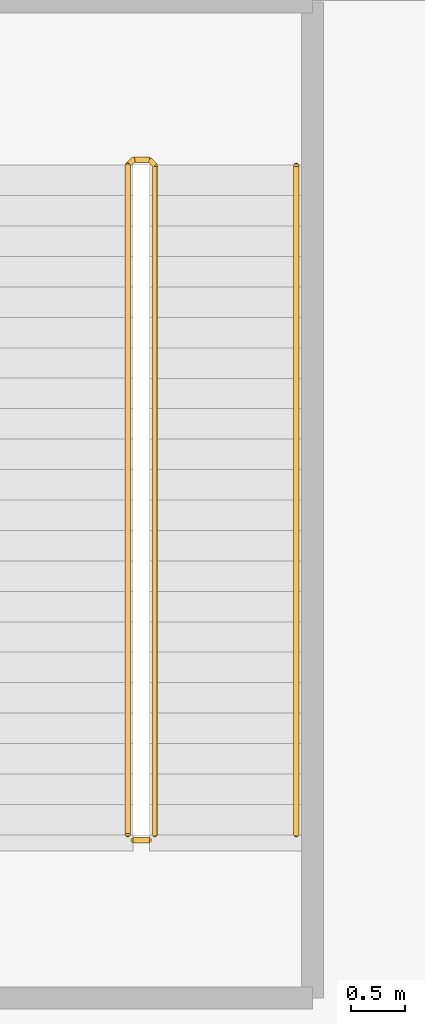
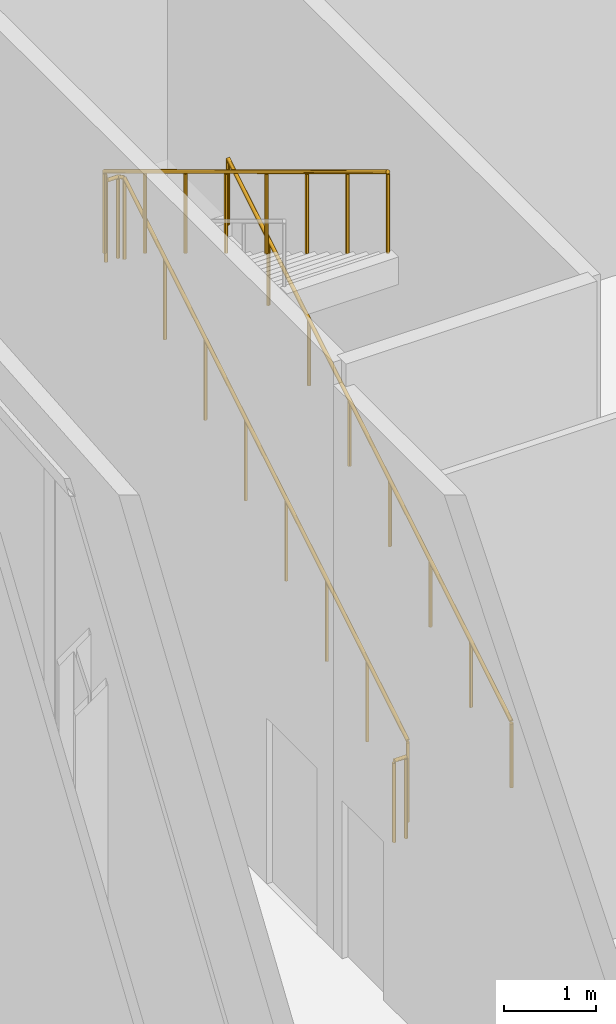
# One storey, part 37 of 38: 3 railings.
"""IFC4 building model written with IfcOpenShell, lengths in metres."""

from ifc_helpers import new_model, si_unit, direction, frame, origin, origin_2d, place, context, subcontext, project, spatial, circle, extrude, material, type_object, element, save


model = new_model("IFC4")

# Units and contexts
model_context = context("Model", 3, precision=1e-05, world=origin(), true_north=direction((0.0, 1.0)))
body_context = subcontext(model_context, "Body", "Model", "MODEL_VIEW")
ifc_project = project(units=[si_unit("LENGTHUNIT", "METRE"), si_unit("AREAUNIT", "SQUARE_METRE"), si_unit("VOLUMEUNIT", "CUBIC_METRE"), si_unit("PLANEANGLEUNIT", "RADIAN"), si_unit("MASSUNIT", "GRAM", prefix="KILO")], contexts=[model_context])

# Site, building, storey
site_placement = place(None, origin())
site = spatial("IfcSite", under=ifc_project, at=site_placement, CompositionType="ELEMENT")
building_placement = place(site_placement, origin())
building = spatial("IfcBuilding", under=site, at=building_placement, Name="Kheshtan School and Residences Tower", CompositionType="ELEMENT")
storey_placement = place(building_placement, frame((0.0, 0.0, 203.300048828125)))
storey = spatial("IfcBuildingStorey", under=building, at=storey_placement, Name="L48", CompositionType="ELEMENT", Elevation=203.300048828125)

# Railings
ifc_material_1 = material(Name="Stainless steel balustrade", Category="steel")
railing_type_1 = type_object("IfcRailingType", Name="Stair guard 1100", PredefinedType="GUARDRAIL", material=ifc_material_1)
railing_1_placement = place(storey_placement, frame((35.0, 80.89990234375, 0.16943359375)))
element("IfcRailing", 1, at=railing_1_placement, inside=storey, type_object=railing_type_1, Name="L48 ST3 stair guard 1", PredefinedType="GUARDRAIL", context=body_context, shape_type="SweptSolid", body=[
    extrude(circle(Radius=0.02392578125, at=origin_2d()), frame((0.0, 0.0, 1.076171875), z_axis=(0.0, 0.855379917629, 0.518001154937), x_axis=(-1.0, 0.0, 0.0)), (0.0, 0.0, 1.0), 7.20166015625),
    extrude(circle(Radius=0.02392578125, at=origin_2d()), frame((0.0, 6.16015625, 4.806640625), z_axis=(-0.707106781187, 0.707106781187, 0.0), x_axis=(-0.707106781187, -0.707106781187, 0.0)), (0.0, 0.0, 1.0), 0.07080078125),
    extrude(circle(Radius=0.02392578125, at=origin_2d()), frame((-0.050048828125, 6.210205078125, 4.806640625), z_axis=(-1.0, 0.0, 0.0), x_axis=(0.0, -1.0, 0.0)), (0.0, 0.0, 1.0), 0.14990234375),
    extrude(circle(Radius=0.02392578125, at=origin_2d()), frame((-0.199951171875, 6.210205078125, 4.806640625), z_axis=(-0.272228512635, -0.272228512635, 0.92292105503), x_axis=(0.707106781187, -0.707106781187, 0.0)), (0.0, 0.0, 1.0), 0.183837890625),
    extrude(circle(Radius=0.02392578125, at=origin_2d()), frame((-0.25, 6.16015625, 4.97607421875), z_axis=(0.0, -0.855379917629, 0.518001154937), x_axis=(1.0, 0.0, 0.0)), (0.0, 0.0, 1.0), 7.20166015625),
    extrude(circle(Radius=0.02099609375, at=origin_2d()), origin(), (0.0, 0.0, 1.0), 1.052001953125),
    extrude(circle(Radius=0.02099609375, at=origin_2d()), frame((0.0, 0.880126953125, 0.532958984375)), (0.0, 0.0, 1.0), 1.052001953125),
    extrude(circle(Radius=0.02099609375, at=origin_2d()), frame((0.0, 1.760009765625, 1.06591796875)), (0.0, 0.0, 1.0), 1.052001953125),
    extrude(circle(Radius=0.02099609375, at=origin_2d()), frame((0.0, 2.64013671875, 1.598876953125)), (0.0, 0.0, 1.0), 1.052001953125),
    extrude(circle(Radius=0.02099609375, at=origin_2d()), frame((0.0, 3.52001953125, 2.131591796875)), (0.0, 0.0, 1.0), 1.052001953125),
    extrude(circle(Radius=0.02099609375, at=origin_2d()), frame((0.0, 4.400146484375, 2.66455078125)), (0.0, 0.0, 1.0), 1.052001953125),
    extrude(circle(Radius=0.02099609375, at=origin_2d()), frame((0.0, 5.280029296875, 3.197509765625)), (0.0, 0.0, 1.0), 1.052001953125),
    extrude(circle(Radius=0.02099609375, at=origin_2d()), frame((0.0, 6.16015625, 3.73046875)), (0.0, 0.0, 1.0), 1.052001953125),
    extrude(circle(Radius=0.02099609375, at=origin_2d()), frame((-0.050048828125, 6.210205078125, 3.73046875)), (0.0, 0.0, 1.0), 1.052001953125),
    extrude(circle(Radius=0.02099609375, at=origin_2d()), frame((-0.199951171875, 6.210205078125, 3.73046875)), (0.0, 0.0, 1.0), 1.052001953125),
    extrude(circle(Radius=0.02099609375, at=origin_2d()), frame((-0.25, 6.16015625, 3.900146484375)), (0.0, 0.0, 1.0), 1.052001953125),
    extrude(circle(Radius=0.02099609375, at=origin_2d()), frame((-0.25, 5.280029296875, 4.43310546875)), (0.0, 0.0, 1.0), 1.052001953125),
    extrude(circle(Radius=0.02099609375, at=origin_2d()), frame((-0.25, 4.400146484375, 4.966064453125)), (0.0, 0.0, 1.0), 1.052001953125),
    extrude(circle(Radius=0.02099609375, at=origin_2d()), frame((-0.25, 3.52001953125, 5.4990234375)), (0.0, 0.0, 1.0), 1.052001953125),
    extrude(circle(Radius=0.02099609375, at=origin_2d()), frame((-0.25, 2.64013671875, 6.03173828125)), (0.0, 0.0, 1.0), 1.052001953125),
    extrude(circle(Radius=0.02099609375, at=origin_2d()), frame((-0.25, 1.760009765625, 6.564697265625)), (0.0, 0.0, 1.0), 1.052001953125),
    extrude(circle(Radius=0.02099609375, at=origin_2d()), frame((-0.25, 0.880126953125, 7.09765625)), (0.0, 0.0, 1.0), 1.052001953125),
    extrude(circle(Radius=0.02099609375, at=origin_2d()), frame((-0.25, 0.0, 7.630615234375)), (0.0, 0.0, 1.0), 1.052001953125),
])
railing_2_placement = place(storey_placement, frame((34.949951171875, 80.85009765625, 0.0)))
element("IfcRailing", 2, at=railing_2_placement, inside=storey, type_object=railing_type_1, Name="L48 ST3 stair guard 2", PredefinedType="GUARDRAIL", context=body_context, shape_type="SweptSolid", body=[
    extrude(circle(Radius=0.02392578125, at=origin_2d()), frame((0.0, 0.0, 1.076171875), z_axis=(-1.0, 0.0, 0.0), x_axis=(0.0, -1.0, 0.0)), (0.0, 0.0, 1.0), 0.14990234375),
    extrude(circle(Radius=0.02099609375, at=origin_2d()), origin(), (0.0, 0.0, 1.0), 1.052001953125),
    extrude(circle(Radius=0.02099609375, at=origin_2d()), frame((-0.14990234375, 0.0, 0.0)), (0.0, 0.0, 1.0), 1.052001953125),
])
ifc_material_2 = material(Name="Stainless steel handrail", Category="steel")
railing_type_2 = type_object("IfcRailingType", Name="Stair handrail 900", PredefinedType="HANDRAIL", material=ifc_material_2)
railing_3_placement = place(storey_placement, frame((36.300048828125, 80.89990234375, 0.16943359375)))
element("IfcRailing", 3, at=railing_3_placement, inside=storey, type_object=railing_type_2, Name="L48 ST3 stair handrail 1", PredefinedType="HANDRAIL", context=body_context, shape_type="SweptSolid", body=[
    extrude(circle(Radius=0.02392578125, at=origin_2d()), frame((0.0, 0.0, 0.8759765625), z_axis=(0.0, 0.855379917629, 0.518001154937), x_axis=(-1.0, 0.0, 0.0)), (0.0, 0.0, 1.0), 7.20166015625),
    extrude(circle(Radius=0.02099609375, at=origin_2d()), origin(), (0.0, 0.0, 1.0), 0.851806640625),
    extrude(circle(Radius=0.02099609375, at=origin_2d()), frame((0.0, 0.880126953125, 0.532958984375)), (0.0, 0.0, 1.0), 0.851806640625),
    extrude(circle(Radius=0.02099609375, at=origin_2d()), frame((0.0, 1.760009765625, 1.06591796875)), (0.0, 0.0, 1.0), 0.851806640625),
    extrude(circle(Radius=0.02099609375, at=origin_2d()), frame((0.0, 2.64013671875, 1.598876953125)), (0.0, 0.0, 1.0), 0.851806640625),
    extrude(circle(Radius=0.02099609375, at=origin_2d()), frame((0.0, 3.52001953125, 2.131591796875)), (0.0, 0.0, 1.0), 0.851806640625),
    extrude(circle(Radius=0.02099609375, at=origin_2d()), frame((0.0, 4.400146484375, 2.66455078125)), (0.0, 0.0, 1.0), 0.851806640625),
    extrude(circle(Radius=0.02099609375, at=origin_2d()), frame((0.0, 5.280029296875, 3.197509765625)), (0.0, 0.0, 1.0), 0.851806640625),
    extrude(circle(Radius=0.02099609375, at=origin_2d()), frame((0.0, 6.16015625, 3.73046875)), (0.0, 0.0, 1.0), 0.851806640625),
])

save(model, "model.ifc")
